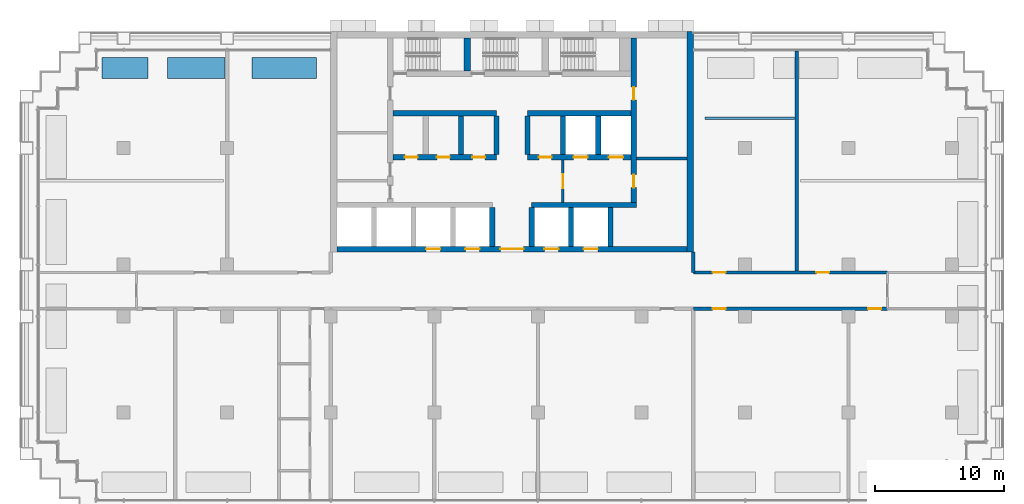
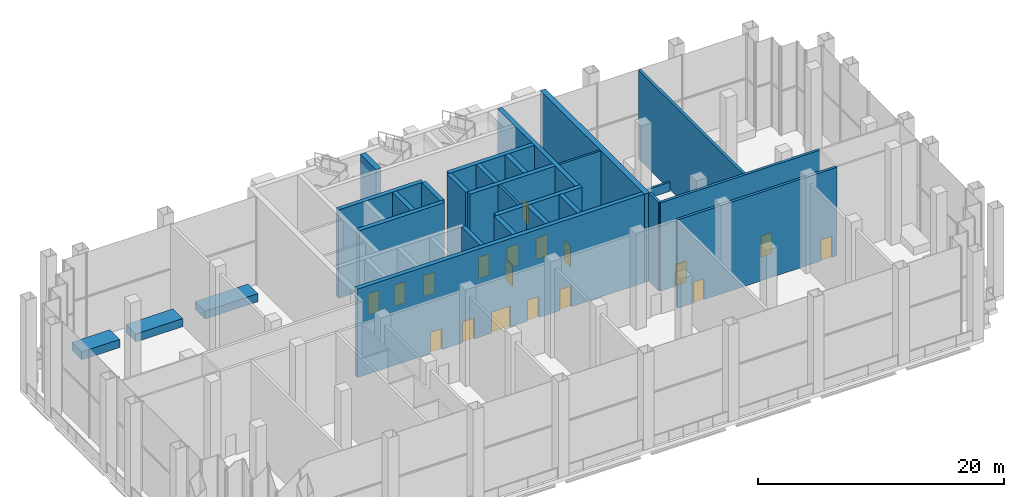
# One storey, part 10 of 16: 28 walls, 18 doors, 18 openings.
"""IFC4 building model written with IfcOpenShell, lengths in metres."""

from ifc_helpers import new_model, si_unit, direction, frame, frame_2d, origin, place, context, subcontext, project, spatial, rectangle, extrude, material, layer, layer_set, type_object, element, fill, save


model = new_model("IFC4")

# Units and contexts
model_context = context("Model", 3, precision=1e-05, world=origin(), true_north=direction((0.0, 1.0)))
body_context = subcontext(model_context, "Body", "Model", "MODEL_VIEW")
ifc_project = project(units=[si_unit("LENGTHUNIT", "METRE"), si_unit("AREAUNIT", "SQUARE_METRE"), si_unit("VOLUMEUNIT", "CUBIC_METRE"), si_unit("PLANEANGLEUNIT", "RADIAN"), si_unit("MASSUNIT", "GRAM", prefix="KILO")], contexts=[model_context])

# Site, building, storey
site_placement = place(None, origin())
site = spatial("IfcSite", under=ifc_project, at=site_placement, CompositionType="ELEMENT")
building_placement = place(site_placement, origin())
building = spatial("IfcBuilding", under=site, at=building_placement, Name="Vidyagriha Tower", CompositionType="ELEMENT")
storey_placement = place(building_placement, frame((0.0, 0.0, 64.0)))
storey = spatial("IfcBuildingStorey", under=building, at=storey_placement, Name="L17", CompositionType="ELEMENT", Elevation=64.0)

# Walls
ifc_material_1 = material(Name="Precast concrete C40/50 with brick facing", Category="concrete")
ifc_layer_1 = layer(ifc_material_1, 1.60009765625)
ifc_layer_set_1 = layer_set([ifc_layer_1], Name="Precast concrete C40/50 with brick facing")
wall_type_1 = type_object("IfcWallType", Name="Brick planter box 1600", PredefinedType="STANDARD", material=ifc_layer_set_1)
wall_1_placement = place(storey_placement, frame((-15.10009765625, 17.199951171875, 0.0), z_axis=(0.0, 0.0, 1.0), x_axis=(-1.0, 0.0, 0.0)))
element("IfcWall", 1, at=wall_1_placement, inside=storey, type_object=wall_type_1, Name="PLANTER L17 4", PredefinedType="STANDARD", context=body_context, shape_type="SweptSolid", body=[
    extrude(rectangle(XDim=5.0, YDim=1.60009765625, at=frame_2d((2.5, 0.0))), origin(), (0.0, 0.0, 1.0), 0.800048828125),
])
wall_2_placement = place(storey_placement, frame((-28.10009765625, 17.199951171875, 0.0), z_axis=(0.0, 0.0, 1.0), x_axis=(-1.0, 0.0, 0.0)))
element("IfcWall", 2, at=wall_2_placement, inside=storey, type_object=wall_type_1, Name="PLANTER L17 6", PredefinedType="STANDARD", context=body_context, shape_type="SweptSolid", body=[
    extrude(rectangle(XDim=3.579833984375, YDim=1.60009765625, at=frame_2d((1.7900390625, 0.0))), origin(), (0.0, 0.0, 1.0), 0.800048828125),
])
wall_3_placement = place(storey_placement, frame((-22.175048828125, 17.199951171875, 0.0), z_axis=(0.0, 0.0, 1.0), x_axis=(-1.0, 0.0, 0.0)))
element("IfcWall", 3, at=wall_3_placement, inside=storey, type_object=wall_type_1, Name="PLANTER L17 5", PredefinedType="STANDARD", context=body_context, shape_type="SweptSolid", body=[
    extrude(rectangle(XDim=4.425048828125, YDim=1.60009765625, at=frame_2d((2.21240234375, 0.0))), origin(), (0.0, 0.0, 1.0), 0.800048828125),
])
ifc_material_2 = material(Name="Fired clay brick masonry", Category="masonry")
ifc_layer_2 = layer(ifc_material_2, 0.199951171875)
ifc_layer_set_2 = layer_set([ifc_layer_2], Name="Fired clay brick masonry")
wall_type_2 = type_object("IfcWallType", Name="Brick planter wall 200", PredefinedType="PARTITIONING", material=ifc_layer_set_2)
wall_4_placement = place(storey_placement, frame((14.89990234375, 13.300048828125, 0.0)))
element("IfcWall", 4, at=wall_4_placement, inside=storey, type_object=wall_type_2, Name="Wall all-L17-w046", PredefinedType="PARTITIONING", context=body_context, shape_type="SweptSolid", body=[
    extrude(rectangle(XDim=6.900146484375, YDim=0.199951171875, at=frame_2d((3.4501953125, 0.0))), origin(), (0.0, 0.0, 1.0), 0.89990234375),
])

# Wall, openings, doors
ifc_material_3 = material(Name="Concrete C60/75", Category="concrete")
ifc_layer_3 = layer(ifc_material_3, 0.39990234375)
ifc_layer_set_3 = layer_set([ifc_layer_3], Name="Concrete C60/75")
wall_type_3 = type_object("IfcWallType", Name="Core shear wall 400 mm", PredefinedType="SHEAR", material=ifc_layer_set_3)
wall_5_placement = place(storey_placement, frame((9.39990234375, 6.800048828125, 0.0), z_axis=(0.0, 0.0, 1.0), x_axis=(0.0, 1.0, 0.0)))
wall_5 = element("IfcWall", 5, at=wall_5_placement, inside=storey, type_object=wall_type_3, Name="Core east spine wall", PredefinedType="SHEAR", context=body_context, shape_type="SweptSolid", body=[
    extrude(rectangle(XDim=12.699951171875, YDim=0.39990234375, at=frame_2d((6.35009765625, 0.0))), origin(), (0.0, 0.0, 1.0), 8.800048828125),
])
opening_1_placement = place(wall_5_placement, frame((1.14990234375, 0.0, 0.0)))
opening_1 = element("IfcOpeningElement", 6, at=opening_1_placement, cuts=wall_5, Name="Opening D17-13", PredefinedType="OPENING", context=body_context, shape_type="SweptSolid", body=[
    extrude(rectangle(XDim=1.0, YDim=2.10009765625, at=frame_2d((0.5, 1.050048828125))), frame((0.0, 0.2099609375, 0.0), z_axis=(0.0, -1.0, 0.0), x_axis=(1.0, 0.0, 0.0)), (0.0, 0.0, 1.0), 0.419921875),
])
opening_2_placement = place(wall_5_placement, frame((7.925048828125, 0.0, 0.0)))
opening_2 = element("IfcOpeningElement", 7, at=opening_2_placement, cuts=wall_5, Name="Opening D17-14", PredefinedType="OPENING", context=body_context, shape_type="SweptSolid", body=[
    extrude(rectangle(XDim=1.0, YDim=2.10009765625, at=frame_2d((0.5, 1.050048828125))), frame((0.0, 0.2099609375, 0.0), z_axis=(0.0, -1.0, 0.0), x_axis=(1.0, 0.0, 0.0)), (0.0, 0.0, 1.0), 0.419921875),
])
ifc_material_4 = material(Name="Hollow metal door leaf")
door_type_1 = type_object("IfcDoorType", Name="Core room door 1000 x 2100 mm EI 60", OperationType="NOTDEFINED", PredefinedType="DOOR", material=ifc_material_4)
door_1_placement = place(opening_1_placement, origin())
door_1 = element("IfcDoor", 8, at=door_1_placement, inside=storey, type_object=door_type_1, Name="Door Refuse Room 17.E1", OperationType="SINGLE_SWING_RIGHT", OverallHeight=2.10009765625, OverallWidth=1.0, PredefinedType="DOOR", context=body_context, shape_type="SweptSolid", body=[
    extrude(rectangle(XDim=1.0, YDim=2.10009765625, at=frame_2d((0.5, 1.050048828125))), frame((0.0, 0.02490234375, 0.0), z_axis=(0.0, -1.0, 0.0), x_axis=(1.0, 0.0, 0.0)), (0.0, 0.0, 1.0), 0.050048828125),
])
fill(opening_1, door_1)
door_2_placement = place(opening_2_placement, origin())
door_2 = element("IfcDoor", 9, at=door_2_placement, inside=storey, type_object=door_type_1, Name="Door Switchgear Room 17.E2", OperationType="SINGLE_SWING_LEFT", OverallHeight=2.10009765625, OverallWidth=1.0, PredefinedType="DOOR", context=body_context, shape_type="SweptSolid", body=[
    extrude(rectangle(XDim=1.0, YDim=2.10009765625, at=frame_2d((0.5, 1.050048828125))), frame((0.0, 0.02490234375, 0.0), z_axis=(0.0, -1.0, 0.0), x_axis=(1.0, 0.0, 0.0)), (0.0, 0.0, 1.0), 0.050048828125),
])
fill(opening_2, door_2)

wall_6_placement = place(storey_placement, frame((-13.5, 3.199951171875, 0.0)))
wall_6 = element("IfcWall", 10, at=wall_6_placement, inside=storey, type_object=wall_type_3, Name="Core front wall", PredefinedType="SHEAR", context=body_context, shape_type="SweptSolid", body=[
    extrude(rectangle(XDim=27.0, YDim=0.39990234375, at=frame_2d((13.5, 0.0))), origin(), (0.0, 0.0, 1.0), 8.800048828125),
])
opening_3_placement = place(wall_6_placement, frame((6.861083984375, 0.0, 0.0)))
opening_3 = element("IfcOpeningElement", 11, at=opening_3_placement, cuts=wall_6, Name="Opening LD17-01", PredefinedType="OPENING", context=body_context, shape_type="SweptSolid", body=[
    extrude(rectangle(XDim=1.10009765625, YDim=2.10009765625, at=frame_2d((0.550048828125, 1.050048828125))), frame((0.0, 0.2099609375, 0.0), z_axis=(0.0, -1.0, 0.0), x_axis=(1.0, 0.0, 0.0)), (0.0, 0.0, 1.0), 0.419921875),
])
opening_4_placement = place(wall_6_placement, frame((9.905517578125, 0.0, 0.0)))
opening_4 = element("IfcOpeningElement", 12, at=opening_4_placement, cuts=wall_6, Name="Opening LD17-02", PredefinedType="OPENING", context=body_context, shape_type="SweptSolid", body=[
    extrude(rectangle(XDim=1.10009765625, YDim=2.10009765625, at=frame_2d((0.550048828125, 1.050048828125))), frame((0.0, 0.2099609375, 0.0), z_axis=(0.0, -1.0, 0.0), x_axis=(1.0, 0.0, 0.0)), (0.0, 0.0, 1.0), 0.419921875),
])
opening_5_placement = place(wall_6_placement, frame((15.994384765625, 0.0, 0.0)))
opening_5 = element("IfcOpeningElement", 13, at=opening_5_placement, cuts=wall_6, Name="Opening LD17-03", PredefinedType="OPENING", context=body_context, shape_type="SweptSolid", body=[
    extrude(rectangle(XDim=1.10009765625, YDim=2.10009765625, at=frame_2d((0.550048828125, 1.050048828125))), frame((0.0, 0.2099609375, 0.0), z_axis=(0.0, -1.0, 0.0), x_axis=(1.0, 0.0, 0.0)), (0.0, 0.0, 1.0), 0.419921875),
])
opening_6_placement = place(wall_6_placement, frame((19.038818359375, 0.0, 0.0)))
opening_6 = element("IfcOpeningElement", 14, at=opening_6_placement, cuts=wall_6, Name="Opening LD17-04", PredefinedType="OPENING", context=body_context, shape_type="SweptSolid", body=[
    extrude(rectangle(XDim=1.10009765625, YDim=2.10009765625, at=frame_2d((0.550048828125, 1.050048828125))), frame((0.0, 0.2099609375, 0.0), z_axis=(0.0, -1.0, 0.0), x_axis=(1.0, 0.0, 0.0)), (0.0, 0.0, 1.0), 0.419921875),
])
opening_7_placement = place(wall_6_placement, frame((12.60009765625, 0.0, 0.0)))
opening_7 = element("IfcOpeningElement", 15, at=opening_7_placement, cuts=wall_6, Name="Opening D17-01", PredefinedType="OPENING", context=body_context, shape_type="SweptSolid", body=[
    extrude(rectangle(XDim=1.800048828125, YDim=2.10009765625, at=frame_2d((0.89990234375, 1.050048828125))), frame((0.0, 0.2099609375, 0.0), z_axis=(0.0, -1.0, 0.0), x_axis=(1.0, 0.0, 0.0)), (0.0, 0.0, 1.0), 0.419921875),
])
ifc_material_5 = material(Name="Hollow metal door leaf")
door_type_2 = type_object("IfcDoorType", Name="Core lobby double door 1800 x 2100 mm EI 60", OperationType="NOTDEFINED", PredefinedType="DOOR", material=ifc_material_5)
door_3_placement = place(opening_7_placement, frame((1.800048828125, 0.0, 0.0), z_axis=(0.0, 0.0, 1.0), x_axis=(-1.0, 0.0, 0.0)))
door_3 = element("IfcDoor", 16, at=door_3_placement, inside=storey, type_object=door_type_2, Name="Core entrance door L17", OperationType="DOUBLE_DOOR_SINGLE_SWING", OverallHeight=2.10009765625, OverallWidth=1.800048828125, PredefinedType="DOOR", context=body_context, shape_type="SweptSolid", body=[
    extrude(rectangle(XDim=1.800048828125, YDim=2.10009765625, at=frame_2d((0.89990234375, 1.050048828125))), frame((0.0, 0.02490234375, 0.0), z_axis=(0.0, -1.0, 0.0), x_axis=(1.0, 0.0, 0.0)), (0.0, 0.0, 1.0), 0.050048828125),
])
fill(opening_7, door_3)
ifc_material_6 = material(Name="Stainless steel sliding door panel", Category="steel")
door_type_3 = type_object("IfcDoorType", Name="Lift landing door 1100 x 2100 mm EI 90", OperationType="NOTDEFINED", PredefinedType="DOOR", material=ifc_material_6)
door_4_placement = place(opening_3_placement, origin())
door_4 = element("IfcDoor", 17, at=door_4_placement, inside=storey, type_object=door_type_3, Name="Landing door LR1 L17", OperationType="SLIDING_TO_LEFT", OverallHeight=2.10009765625, OverallWidth=1.10009765625, PredefinedType="DOOR", context=body_context, shape_type="SweptSolid", body=[
    extrude(rectangle(XDim=1.10009765625, YDim=2.10009765625, at=frame_2d((0.550048828125, 1.050048828125))), frame((0.0, 0.02490234375, 0.0), z_axis=(0.0, -1.0, 0.0), x_axis=(1.0, 0.0, 0.0)), (0.0, 0.0, 1.0), 0.050048828125),
])
fill(opening_3, door_4)
door_5_placement = place(opening_4_placement, origin())
door_5 = element("IfcDoor", 18, at=door_5_placement, inside=storey, type_object=door_type_3, Name="Landing door LR2 L17", OperationType="SLIDING_TO_LEFT", OverallHeight=2.10009765625, OverallWidth=1.10009765625, PredefinedType="DOOR", context=body_context, shape_type="SweptSolid", body=[
    extrude(rectangle(XDim=1.10009765625, YDim=2.10009765625, at=frame_2d((0.550048828125, 1.050048828125))), frame((0.0, 0.02490234375, 0.0), z_axis=(0.0, -1.0, 0.0), x_axis=(1.0, 0.0, 0.0)), (0.0, 0.0, 1.0), 0.050048828125),
])
fill(opening_4, door_5)
door_6_placement = place(opening_5_placement, origin())
door_6 = element("IfcDoor", 19, at=door_6_placement, inside=storey, type_object=door_type_3, Name="Landing door LR3 L17", OperationType="SLIDING_TO_LEFT", OverallHeight=2.10009765625, OverallWidth=1.10009765625, PredefinedType="DOOR", context=body_context, shape_type="SweptSolid", body=[
    extrude(rectangle(XDim=1.10009765625, YDim=2.10009765625, at=frame_2d((0.550048828125, 1.050048828125))), frame((0.0, 0.02490234375, 0.0), z_axis=(0.0, -1.0, 0.0), x_axis=(1.0, 0.0, 0.0)), (0.0, 0.0, 1.0), 0.050048828125),
])
fill(opening_5, door_6)
door_7_placement = place(opening_6_placement, origin())
door_7 = element("IfcDoor", 20, at=door_7_placement, inside=storey, type_object=door_type_3, Name="Landing door LR4 L17", OperationType="SLIDING_TO_LEFT", OverallHeight=2.10009765625, OverallWidth=1.10009765625, PredefinedType="DOOR", context=body_context, shape_type="SweptSolid", body=[
    extrude(rectangle(XDim=1.10009765625, YDim=2.10009765625, at=frame_2d((0.550048828125, 1.050048828125))), frame((0.0, 0.02490234375, 0.0), z_axis=(0.0, -1.0, 0.0), x_axis=(1.0, 0.0, 0.0)), (0.0, 0.0, 1.0), 0.050048828125),
])
fill(opening_6, door_7)

# Walls
wall_7_placement = place(storey_placement, frame((1.522216796875, 6.60009765625, 0.0)))
element("IfcWall", 21, at=wall_7_placement, inside=storey, type_object=wall_type_3, Name="Core lobby south wall east", PredefinedType="SHEAR", context=body_context, shape_type="SweptSolid", body=[
    extrude(rectangle(XDim=8.077880859375, YDim=0.39990234375, at=frame_2d((4.0390625, 0.0))), origin(), (0.0, 0.0, 1.0), 8.800048828125),
])
for number, where, z_axis, x_axis, name in (
    (22, (-1.522216796875, 3.39990234375, 0.0), (0.0, 0.0, 1.0), (0.0, 1.0, 0.0), "Core bay wall S4"),
    (23, (1.522216796875, 3.39990234375, 0.0), (0.0, 0.0, 1.0), (0.0, 1.0, 0.0), "Core bay wall S5"),
    (24, (4.566650390625, 3.39990234375, 0.0), (0.0, 0.0, 1.0), (0.0, 1.0, 0.0), "Core bay wall S6"),
    (25, (7.611083984375, 3.39990234375, 0.0), (0.0, 0.0, 1.0), (0.0, 1.0, 0.0), "Core bay wall S7"),
):
    element("IfcWall", number, at=place(storey_placement, frame(where, z_axis=z_axis, x_axis=x_axis)), inside=storey, type_object=wall_type_3, Name=name, PredefinedType="SHEAR", context=body_context, shape_type="SweptSolid", body=[
        extrude(rectangle(XDim=3.0, YDim=0.39990234375, at=frame_2d((1.5, 0.0))), origin(), (0.0, 0.0, 1.0), 8.800048828125),
    ])

# Wall, openings, doors
wall_8_placement = place(storey_placement, frame((-9.199951171875, 10.300048828125, 0.0)))
wall_8 = element("IfcWall", 26, at=wall_8_placement, inside=storey, type_object=wall_type_3, Name="Core row N front wall", PredefinedType="SHEAR", context=body_context, shape_type="SweptSolid", body=[
    extrude(rectangle(XDim=8.0, YDim=0.39990234375, at=frame_2d((4.0, 0.0))), origin(), (0.0, 0.0, 1.0), 8.800048828125),
])
opening_8_placement = place(wall_8_placement, frame((0.916748046875, 0.0, 0.0)))
opening_8 = element("IfcOpeningElement", 27, at=opening_8_placement, cuts=wall_8, Name="Opening D17-02", PredefinedType="OPENING", context=body_context, shape_type="SweptSolid", body=[
    extrude(rectangle(XDim=1.0, YDim=2.10009765625, at=frame_2d((0.5, 1.050048828125))), frame((0.0, 0.2099609375, 0.0), z_axis=(0.0, -1.0, 0.0), x_axis=(1.0, 0.0, 0.0)), (0.0, 0.0, 1.0), 0.419921875),
])
opening_9_placement = place(wall_8_placement, frame((3.39990234375, 0.0, 0.0)))
opening_9 = element("IfcOpeningElement", 28, at=opening_9_placement, cuts=wall_8, Name="Opening D17-03", PredefinedType="OPENING", context=body_context, shape_type="SweptSolid", body=[
    extrude(rectangle(XDim=1.0, YDim=2.10009765625, at=frame_2d((0.5, 1.050048828125))), frame((0.0, 0.2099609375, 0.0), z_axis=(0.0, -1.0, 0.0), x_axis=(1.0, 0.0, 0.0)), (0.0, 0.0, 1.0), 0.419921875),
])
opening_10_placement = place(wall_8_placement, frame((6.13330078125, 0.0, 0.0)))
opening_10 = element("IfcOpeningElement", 29, at=opening_10_placement, cuts=wall_8, Name="Opening D17-04", PredefinedType="OPENING", context=body_context, shape_type="SweptSolid", body=[
    extrude(rectangle(XDim=1.0, YDim=2.10009765625, at=frame_2d((0.5, 1.050048828125))), frame((0.0, 0.2099609375, 0.0), z_axis=(0.0, -1.0, 0.0), x_axis=(1.0, 0.0, 0.0)), (0.0, 0.0, 1.0), 0.419921875),
])
door_8_placement = place(opening_8_placement, frame((1.0, 0.0, 0.0), z_axis=(0.0, 0.0, 1.0), x_axis=(-1.0, 0.0, 0.0)))
door_8 = element("IfcDoor", 30, at=door_8_placement, inside=storey, type_object=door_type_1, Name="Door Switchgear Room 17.14", OperationType="SINGLE_SWING_RIGHT", OverallHeight=2.10009765625, OverallWidth=1.0, PredefinedType="DOOR", context=body_context, shape_type="SweptSolid", body=[
    extrude(rectangle(XDim=1.0, YDim=2.10009765625, at=frame_2d((0.5, 1.050048828125))), frame((0.0, 0.02490234375, 0.0), z_axis=(0.0, -1.0, 0.0), x_axis=(1.0, 0.0, 0.0)), (0.0, 0.0, 1.0), 0.050048828125),
])
fill(opening_8, door_8)
door_9_placement = place(opening_9_placement, frame((1.0, 0.0, 0.0), z_axis=(0.0, 0.0, 1.0), x_axis=(-1.0, 0.0, 0.0)))
door_9 = element("IfcDoor", 31, at=door_9_placement, inside=storey, type_object=door_type_1, Name="Door Electrical Room 17.15", OperationType="SINGLE_SWING_RIGHT", OverallHeight=2.10009765625, OverallWidth=1.0, PredefinedType="DOOR", context=body_context, shape_type="SweptSolid", body=[
    extrude(rectangle(XDim=1.0, YDim=2.10009765625, at=frame_2d((0.5, 1.050048828125))), frame((0.0, 0.02490234375, 0.0), z_axis=(0.0, -1.0, 0.0), x_axis=(1.0, 0.0, 0.0)), (0.0, 0.0, 1.0), 0.050048828125),
])
fill(opening_9, door_9)
door_10_placement = place(opening_10_placement, frame((1.0, 0.0, 0.0), z_axis=(0.0, 0.0, 1.0), x_axis=(-1.0, 0.0, 0.0)))
door_10 = element("IfcDoor", 32, at=door_10_placement, inside=storey, type_object=door_type_1, Name="Door Cleaners Store 17.16", OperationType="SINGLE_SWING_LEFT", OverallHeight=2.10009765625, OverallWidth=1.0, PredefinedType="DOOR", context=body_context, shape_type="SweptSolid", body=[
    extrude(rectangle(XDim=1.0, YDim=2.10009765625, at=frame_2d((0.5, 1.050048828125))), frame((0.0, 0.02490234375, 0.0), z_axis=(0.0, -1.0, 0.0), x_axis=(1.0, 0.0, 0.0)), (0.0, 0.0, 1.0), 0.050048828125),
])
fill(opening_10, door_10)

# Wall
wall_9_placement = place(storey_placement, frame((-9.199951171875, 13.699951171875, 0.0)))
element("IfcWall", 33, at=wall_9_placement, inside=storey, type_object=wall_type_3, Name="Core row N rear wall", PredefinedType="SHEAR", context=body_context, shape_type="SweptSolid", body=[
    extrude(rectangle(XDim=8.0, YDim=0.39990234375, at=frame_2d((4.0, 0.0))), origin(), (0.0, 0.0, 1.0), 8.800048828125),
])

# Wall, openings, doors
wall_10_placement = place(storey_placement, frame((1.199951171875, 10.300048828125, 0.0)))
wall_10 = element("IfcWall", 34, at=wall_10_placement, inside=storey, type_object=wall_type_3, Name="Core row N front wall", PredefinedType="SHEAR", context=body_context, shape_type="SweptSolid", body=[
    extrude(rectangle(XDim=8.0, YDim=0.39990234375, at=frame_2d((4.0, 0.0))), origin(), (0.0, 0.0, 1.0), 8.800048828125),
])
opening_11_placement = place(wall_10_placement, frame((3.550048828125, 0.0, 0.0)))
opening_11 = element("IfcOpeningElement", 35, at=opening_11_placement, cuts=wall_10, Name="Opening LD17-05", PredefinedType="OPENING", context=body_context, shape_type="SweptSolid", body=[
    extrude(rectangle(XDim=1.10009765625, YDim=2.10009765625, at=frame_2d((0.550048828125, 1.050048828125))), frame((0.0, 0.2099609375, 0.0), z_axis=(0.0, -1.0, 0.0), x_axis=(1.0, 0.0, 0.0)), (0.0, 0.0, 1.0), 0.419921875),
])
opening_12_placement = place(wall_10_placement, frame((6.283203125, 0.0, 0.0)))
opening_12 = element("IfcOpeningElement", 36, at=opening_12_placement, cuts=wall_10, Name="Opening LD17-06", PredefinedType="OPENING", context=body_context, shape_type="SweptSolid", body=[
    extrude(rectangle(XDim=1.10009765625, YDim=2.10009765625, at=frame_2d((0.550048828125, 1.050048828125))), frame((0.0, 0.2099609375, 0.0), z_axis=(0.0, -1.0, 0.0), x_axis=(1.0, 0.0, 0.0)), (0.0, 0.0, 1.0), 0.419921875),
])
opening_13_placement = place(wall_10_placement, frame((0.86669921875, 0.0, 0.0)))
opening_13 = element("IfcOpeningElement", 37, at=opening_13_placement, cuts=wall_10, Name="Opening D17-05", PredefinedType="OPENING", context=body_context, shape_type="SweptSolid", body=[
    extrude(rectangle(XDim=1.0, YDim=2.10009765625, at=frame_2d((0.5, 1.050048828125))), frame((0.0, 0.2099609375, 0.0), z_axis=(0.0, -1.0, 0.0), x_axis=(1.0, 0.0, 0.0)), (0.0, 0.0, 1.0), 0.419921875),
])
door_11_placement = place(opening_13_placement, frame((1.0, 0.0, 0.0), z_axis=(0.0, 0.0, 1.0), x_axis=(-1.0, 0.0, 0.0)))
door_11 = element("IfcDoor", 38, at=door_11_placement, inside=storey, type_object=door_type_1, Name="Door Pressurisation Plant Room 17.17", OperationType="SINGLE_SWING_LEFT", OverallHeight=2.10009765625, OverallWidth=1.0, PredefinedType="DOOR", context=body_context, shape_type="SweptSolid", body=[
    extrude(rectangle(XDim=1.0, YDim=2.10009765625, at=frame_2d((0.5, 1.050048828125))), frame((0.0, 0.02490234375, 0.0), z_axis=(0.0, -1.0, 0.0), x_axis=(1.0, 0.0, 0.0)), (0.0, 0.0, 1.0), 0.050048828125),
])
fill(opening_13, door_11)
door_12_placement = place(opening_11_placement, origin())
door_12 = element("IfcDoor", 39, at=door_12_placement, inside=storey, type_object=door_type_3, Name="Landing door FF1 L17", OperationType="SLIDING_TO_LEFT", OverallHeight=2.10009765625, OverallWidth=1.10009765625, PredefinedType="DOOR", context=body_context, shape_type="SweptSolid", body=[
    extrude(rectangle(XDim=1.10009765625, YDim=2.10009765625, at=frame_2d((0.550048828125, 1.050048828125))), frame((0.0, 0.02490234375, 0.0), z_axis=(0.0, -1.0, 0.0), x_axis=(1.0, 0.0, 0.0)), (0.0, 0.0, 1.0), 0.050048828125),
])
fill(opening_11, door_12)
door_13_placement = place(opening_12_placement, origin())
door_13 = element("IfcDoor", 40, at=door_13_placement, inside=storey, type_object=door_type_3, Name="Landing door FF2 L17", OperationType="SLIDING_TO_LEFT", OverallHeight=2.10009765625, OverallWidth=1.10009765625, PredefinedType="DOOR", context=body_context, shape_type="SweptSolid", body=[
    extrude(rectangle(XDim=1.10009765625, YDim=2.10009765625, at=frame_2d((0.550048828125, 1.050048828125))), frame((0.0, 0.02490234375, 0.0), z_axis=(0.0, -1.0, 0.0), x_axis=(1.0, 0.0, 0.0)), (0.0, 0.0, 1.0), 0.050048828125),
])
fill(opening_12, door_13)

# Walls
wall_11_placement = place(storey_placement, frame((1.199951171875, 13.699951171875, 0.0)))
element("IfcWall", 41, at=wall_11_placement, inside=storey, type_object=wall_type_3, Name="Core row N rear wall", PredefinedType="SHEAR", context=body_context, shape_type="SweptSolid", body=[
    extrude(rectangle(XDim=8.0, YDim=0.39990234375, at=frame_2d((4.0, 0.0))), origin(), (0.0, 0.0, 1.0), 8.800048828125),
])
for number, where, z_axis, x_axis, name in (
    (42, (-3.933349609375, 10.5, 0.0), (0.0, 0.0, 1.0), (0.0, 1.0, 0.0), "Core bay wall N2"),
    (43, (-1.199951171875, 10.5, 0.0), (0.0, 0.0, 1.0), (0.0, 1.0, 0.0), "Core bay wall N3"),
    (44, (1.199951171875, 10.5, 0.0), (0.0, 0.0, 1.0), (0.0, 1.0, 0.0), "Core bay wall N4"),
    (45, (3.933349609375, 10.5, 0.0), (0.0, 0.0, 1.0), (0.0, 1.0, 0.0), "Core bay wall N5"),
    (46, (6.666748046875, 10.5, 0.0), (0.0, 0.0, 1.0), (0.0, 1.0, 0.0), "Core bay wall N6"),
):
    element("IfcWall", number, at=place(storey_placement, frame(where, z_axis=z_axis, x_axis=x_axis)), inside=storey, type_object=wall_type_3, Name=name, PredefinedType="SHEAR", context=body_context, shape_type="SweptSolid", body=[
        extrude(rectangle(XDim=3.0, YDim=0.39990234375, at=frame_2d((1.5, 0.0))), origin(), (0.0, 0.0, 1.0), 8.800048828125),
    ])
ifc_material_7 = material(Name="Concrete C60/75", Category="concrete")
ifc_layer_4 = layer(ifc_material_7, 0.5)
ifc_layer_set_4 = layer_set([ifc_layer_4], Name="Concrete C60/75")
wall_type_4 = type_object("IfcWallType", Name="Core shear wall 500 mm", PredefinedType="SHEAR", material=ifc_layer_set_4)
wall_12_placement = place(storey_placement, frame((13.75, 3.0, 0.0), z_axis=(0.0, 0.0, 1.0), x_axis=(0.0, 1.0, 0.0)))
element("IfcWall", 47, at=wall_12_placement, inside=storey, type_object=wall_type_4, Name="Core east wall", PredefinedType="SHEAR", context=body_context, shape_type="SweptSolid", body=[
    extrude(rectangle(XDim=17.0, YDim=0.5, at=frame_2d((8.5, 0.0))), origin(), (0.0, 0.0, 1.0), 8.800048828125),
])
wall_13_placement = place(storey_placement, frame((-3.449951171875, 16.949951171875, 0.0), z_axis=(0.0, 0.0, 1.0), x_axis=(0.0, 1.0, 0.0)))
element("IfcWall", 48, at=wall_13_placement, inside=storey, type_object=wall_type_4, Name="Stair partition wall 1", PredefinedType="SHEAR", context=body_context, shape_type="SweptSolid", body=[
    extrude(rectangle(XDim=2.550048828125, YDim=0.5, at=frame_2d((1.27490234375, 0.0))), origin(), (0.0, 0.0, 1.0), 8.800048828125),
])

# Wall, openings, doors
ifc_material_8 = material(Name="Fired clay brick masonry", Category="masonry")
ifc_layer_5 = layer(ifc_material_8, 0.25)
ifc_layer_set_5 = layer_set([ifc_layer_5], Name="Fired clay brick masonry")
wall_type_5 = type_object("IfcWallType", Name="Fired clay brick corridor wall 250", PredefinedType="PARTITIONING", material=ifc_layer_set_5)
wall_14_placement = place(storey_placement, frame((29.0, -1.39990234375, 0.0), z_axis=(0.0, 0.0, 1.0), x_axis=(-1.0, 0.0, 0.0)))
wall_14 = element("IfcWall", 49, at=wall_14_placement, inside=storey, type_object=wall_type_5, Name="Wall all-L17-w024", PredefinedType="PARTITIONING", context=body_context, shape_type="SweptSolid", body=[
    extrude(rectangle(XDim=15.0, YDim=0.25, at=frame_2d((7.5, 0.0))), origin(), (0.0, 0.0, 1.0), 8.800048828125),
])
opening_14_placement = place(wall_14_placement, frame((12.5, 0.0, 0.0)))
opening_14 = element("IfcOpeningElement", 50, at=opening_14_placement, cuts=wall_14, Name="Opening D17-25", PredefinedType="OPENING", context=body_context, shape_type="SweptSolid", body=[
    extrude(rectangle(XDim=1.0, YDim=2.10009765625, at=frame_2d((0.5, 1.050048828125))), frame((0.0, 0.135009765625, 0.0), z_axis=(0.0, -1.0, 0.0), x_axis=(1.0, 0.0, 0.0)), (0.0, 0.0, 1.0), 0.27001953125),
])
opening_15_placement = place(wall_14_placement, frame((0.5, 0.0, 0.0)))
opening_15 = element("IfcOpeningElement", 51, at=opening_15_placement, cuts=wall_14, Name="Opening D17-26", PredefinedType="OPENING", context=body_context, shape_type="SweptSolid", body=[
    extrude(rectangle(XDim=1.0, YDim=2.10009765625, at=frame_2d((0.5, 1.050048828125))), frame((0.0, 0.135009765625, 0.0), z_axis=(0.0, -1.0, 0.0), x_axis=(1.0, 0.0, 0.0)), (0.0, 0.0, 1.0), 0.27001953125),
])
ifc_material_9 = material(Name="Fire-rated timber door leaf EI 60", Category="wood")
door_type_4 = type_object("IfcDoorType", Name="Flat entrance fire door 1000x2100", OperationType="NOTDEFINED", PredefinedType="DOOR", material=ifc_material_9)
door_14_placement = place(opening_14_placement, origin())
door_14 = element("IfcDoor", 52, at=door_14_placement, inside=storey, type_object=door_type_4, Name="Door D17-25", OperationType="SINGLE_SWING_RIGHT", OverallHeight=2.10009765625, OverallWidth=1.0, PredefinedType="DOOR", context=body_context, shape_type="SweptSolid", body=[
    extrude(rectangle(XDim=1.0, YDim=2.10009765625, at=frame_2d((0.5, 1.050048828125))), frame((0.0, 0.02490234375, 0.0), z_axis=(0.0, -1.0, 0.0), x_axis=(1.0, 0.0, 0.0)), (0.0, 0.0, 1.0), 0.050048828125),
])
fill(opening_14, door_14)
door_15_placement = place(opening_15_placement, origin())
door_15 = element("IfcDoor", 53, at=door_15_placement, inside=storey, type_object=door_type_4, Name="Door D17-26", OperationType="SINGLE_SWING_RIGHT", OverallHeight=2.10009765625, OverallWidth=1.0, PredefinedType="DOOR", context=body_context, shape_type="SweptSolid", body=[
    extrude(rectangle(XDim=1.0, YDim=2.10009765625, at=frame_2d((0.5, 1.050048828125))), frame((0.0, 0.02490234375, 0.0), z_axis=(0.0, -1.0, 0.0), x_axis=(1.0, 0.0, 0.0)), (0.0, 0.0, 1.0), 0.050048828125),
])
fill(opening_15, door_15)

wall_15_placement = place(storey_placement, frame((14.0, 1.39990234375, 0.0)))
wall_15 = element("IfcWall", 54, at=wall_15_placement, inside=storey, type_object=wall_type_5, Name="Wall all-L17-w032", PredefinedType="PARTITIONING", context=body_context, shape_type="SweptSolid", body=[
    extrude(rectangle(XDim=15.0, YDim=0.25, at=frame_2d((7.5, 0.0))), origin(), (0.0, 0.0, 1.0), 8.800048828125),
])
opening_16_placement = place(wall_15_placement, frame((1.5, 0.0, 0.0)))
opening_16 = element("IfcOpeningElement", 55, at=opening_16_placement, cuts=wall_15, Name="Opening D17-28", PredefinedType="OPENING", context=body_context, shape_type="SweptSolid", body=[
    extrude(rectangle(XDim=1.0, YDim=2.10009765625, at=frame_2d((0.5, 1.050048828125))), frame((0.0, 0.135009765625, 0.0), z_axis=(0.0, -1.0, 0.0), x_axis=(1.0, 0.0, 0.0)), (0.0, 0.0, 1.0), 0.27001953125),
])
opening_17_placement = place(wall_15_placement, frame((9.5, 0.0, 0.0)))
opening_17 = element("IfcOpeningElement", 56, at=opening_17_placement, cuts=wall_15, Name="Opening D17-29", PredefinedType="OPENING", context=body_context, shape_type="SweptSolid", body=[
    extrude(rectangle(XDim=1.0, YDim=2.10009765625, at=frame_2d((0.5, 1.050048828125))), frame((0.0, 0.135009765625, 0.0), z_axis=(0.0, -1.0, 0.0), x_axis=(1.0, 0.0, 0.0)), (0.0, 0.0, 1.0), 0.27001953125),
])
door_16_placement = place(opening_16_placement, origin())
door_16 = element("IfcDoor", 57, at=door_16_placement, inside=storey, type_object=door_type_4, Name="Door D17-28", OperationType="SINGLE_SWING_LEFT", OverallHeight=2.10009765625, OverallWidth=1.0, PredefinedType="DOOR", context=body_context, shape_type="SweptSolid", body=[
    extrude(rectangle(XDim=1.0, YDim=2.10009765625, at=frame_2d((0.5, 1.050048828125))), frame((0.0, 0.02490234375, 0.0), z_axis=(0.0, -1.0, 0.0), x_axis=(1.0, 0.0, 0.0)), (0.0, 0.0, 1.0), 0.050048828125),
])
fill(opening_16, door_16)
door_17_placement = place(opening_17_placement, origin())
door_17 = element("IfcDoor", 58, at=door_17_placement, inside=storey, type_object=door_type_4, Name="Door D17-29", OperationType="SINGLE_SWING_LEFT", OverallHeight=2.10009765625, OverallWidth=1.0, PredefinedType="DOOR", context=body_context, shape_type="SweptSolid", body=[
    extrude(rectangle(XDim=1.0, YDim=2.10009765625, at=frame_2d((0.5, 1.050048828125))), frame((0.0, 0.02490234375, 0.0), z_axis=(0.0, -1.0, 0.0), x_axis=(1.0, 0.0, 0.0)), (0.0, 0.0, 1.0), 0.050048828125),
])
fill(opening_17, door_17)

# Walls
wall_16_placement = place(storey_placement, frame((14.0, 1.39990234375, 0.0), z_axis=(0.0, 0.0, 1.0), x_axis=(0.0, 1.0, 0.0)))
element("IfcWall", 59, at=wall_16_placement, inside=storey, type_object=wall_type_5, Name="Wall all-L17-w044", PredefinedType="PARTITIONING", context=body_context, shape_type="SweptSolid", body=[
    extrude(rectangle(XDim=1.60009765625, YDim=0.25, at=frame_2d((0.800048828125, 0.0))), origin(), (0.0, 0.0, 1.0), 8.800048828125),
])
ifc_material_10 = material(Name="Fired clay brick masonry", Category="masonry")
ifc_layer_6 = layer(ifc_material_10, 0.25)
ifc_layer_set_6 = layer_set([ifc_layer_6], Name="Fired clay brick masonry")
wall_type_6 = type_object("IfcWallType", Name="Fired clay brick demising wall 250", PredefinedType="PARTITIONING", material=ifc_layer_set_6)
wall_17_placement = place(storey_placement, frame((22.0, 18.52099609375, 0.0), z_axis=(0.0, 0.0, 1.0), x_axis=(0.0, -1.0, 0.0)))
element("IfcWall", 60, at=wall_17_placement, inside=storey, type_object=wall_type_6, Name="Wall all-L17-w036", PredefinedType="PARTITIONING", context=body_context, shape_type="SweptSolid", body=[
    extrude(rectangle(XDim=17.12109375, YDim=0.25, at=frame_2d((8.560546875, 0.0))), origin(), (0.0, 0.0, 1.0), 8.800048828125),
])

# Wall, opening, door
ifc_material_11 = material(Name="Blockwork 15 MPa", Category="masonry")
ifc_layer_7 = layer(ifc_material_11, 0.199951171875)
ifc_layer_set_7 = layer_set([ifc_layer_7], Name="Blockwork 15 MPa")
wall_type_7 = type_object("IfcWallType", Name="Service room partition 200 mm", PredefinedType="PARTITIONING", material=ifc_layer_set_7)
wall_18_placement = place(storey_placement, frame((3.933349609375, 6.800048828125, 0.0), z_axis=(0.0, 0.0, 1.0), x_axis=(0.0, 1.0, 0.0)))
wall_18 = element("IfcWall", 61, at=wall_18_placement, inside=storey, type_object=wall_type_7, Name="Fire-fighting lobby west wall", PredefinedType="PARTITIONING", context=body_context, shape_type="SweptSolid", body=[
    extrude(rectangle(XDim=3.300048828125, YDim=0.199951171875, at=frame_2d((1.64990234375, 0.0))), origin(), (0.0, 0.0, 1.0), 8.800048828125),
])
opening_18_placement = place(wall_18_placement, frame((1.10009765625, 0.0, 0.0)))
opening_18 = element("IfcOpeningElement", 62, at=opening_18_placement, cuts=wall_18, Name="Opening D17-06", PredefinedType="OPENING", context=body_context, shape_type="SweptSolid", body=[
    extrude(rectangle(XDim=1.10009765625, YDim=2.10009765625, at=frame_2d((0.550048828125, 1.050048828125))), frame((0.0, 0.10986328125, 0.0), z_axis=(0.0, -1.0, 0.0), x_axis=(1.0, 0.0, 0.0)), (0.0, 0.0, 1.0), 0.219970703125),
])
ifc_material_12 = material(Name="Hollow metal door leaf")
door_type_5 = type_object("IfcDoorType", Name="Fire-fighting lobby door 1100 x 2100 mm EI 90", OperationType="NOTDEFINED", PredefinedType="DOOR", material=ifc_material_12)
door_18_placement = place(opening_18_placement, origin())
door_18 = element("IfcDoor", 63, at=door_18_placement, inside=storey, type_object=door_type_5, Name="Fire-fighting lobby door L17", OperationType="SINGLE_SWING_RIGHT", OverallHeight=2.10009765625, OverallWidth=1.10009765625, PredefinedType="DOOR", context=body_context, shape_type="SweptSolid", body=[
    extrude(rectangle(XDim=1.10009765625, YDim=2.10009765625, at=frame_2d((0.550048828125, 1.050048828125))), frame((0.0, 0.02490234375, 0.0), z_axis=(0.0, -1.0, 0.0), x_axis=(1.0, 0.0, 0.0)), (0.0, 0.0, 1.0), 0.050048828125),
])
fill(opening_18, door_18)

# Wall
wall_19_placement = place(storey_placement, frame((9.60009765625, 10.199951171875, 0.0)))
element("IfcWall", 64, at=wall_19_placement, inside=storey, type_object=wall_type_7, Name="Core room partition E1", PredefinedType="PARTITIONING", context=body_context, shape_type="SweptSolid", body=[
    extrude(rectangle(XDim=3.89990234375, YDim=0.199951171875, at=frame_2d((1.949951171875, 0.0))), origin(), (0.0, 0.0, 1.0), 8.800048828125),
])

save(model, "model.ifc")
